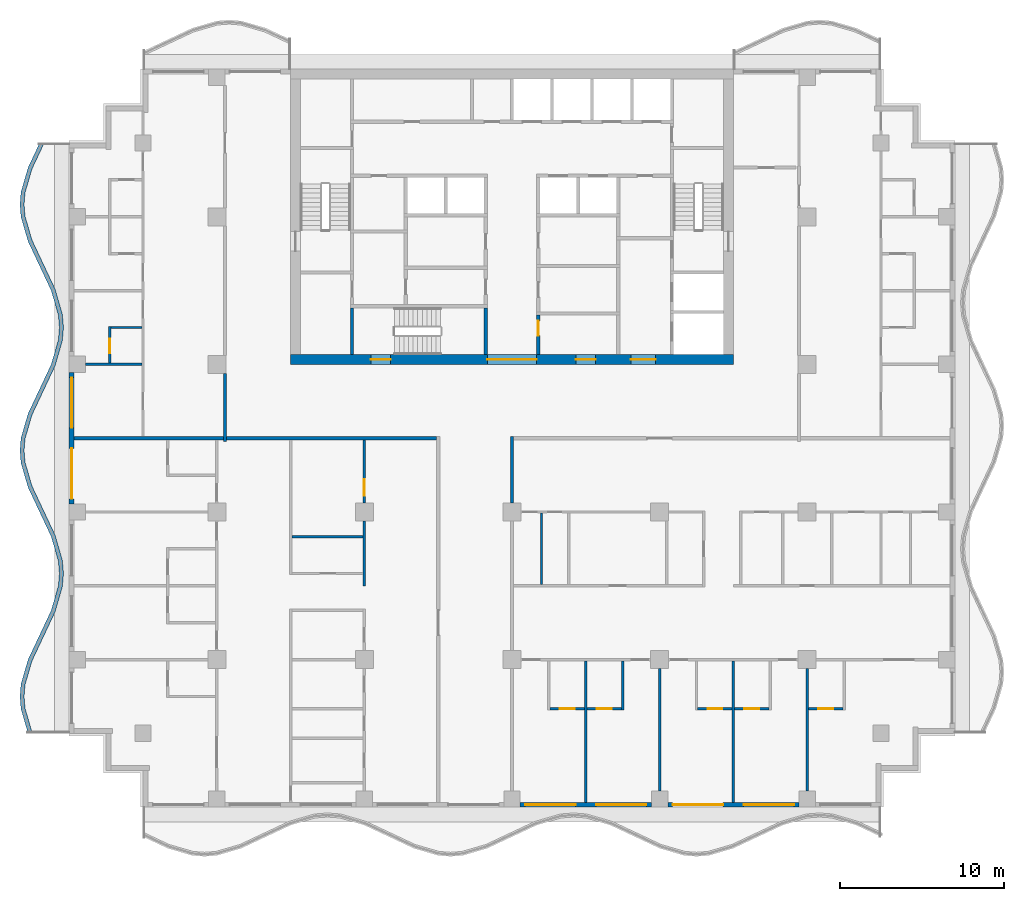
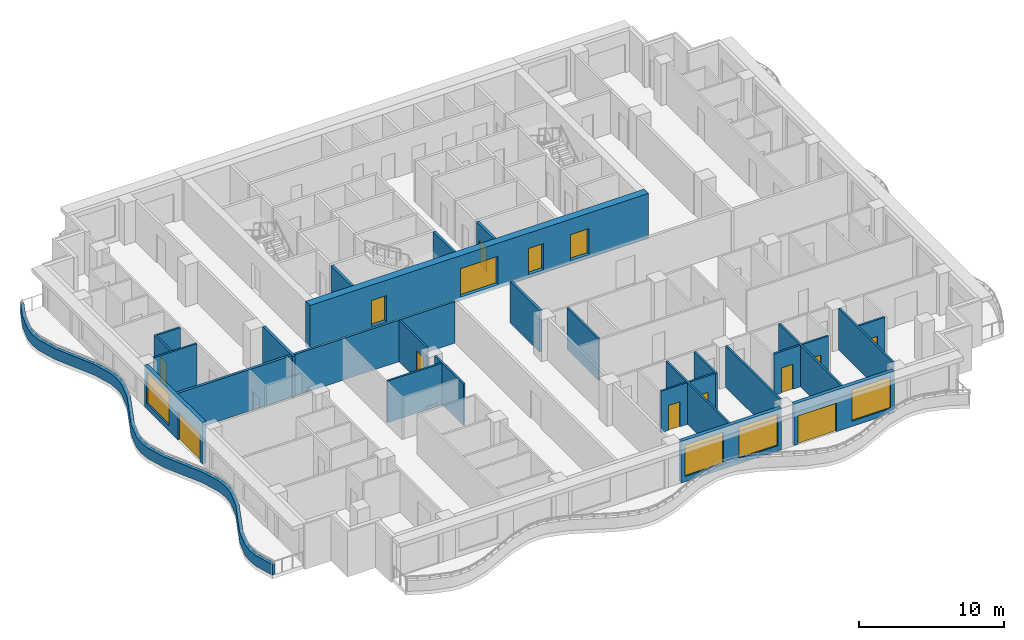
# One storey, part 3 of 12: 29 walls, 14 doors, 4 windows, 18 openings.
"""IFC4 building model written with IfcOpenShell, lengths in metres."""

from ifc_helpers import new_model, si_unit, direction, frame, frame_2d, origin, place, context, subcontext, project, spatial, polyline, rectangle, outline, extrude, material, layer, layer_set, type_object, element, fill, save


model = new_model("IFC4")

# Units and contexts
model_context = context("Model", 3, precision=1e-05, world=origin(), true_north=direction((0.0, 1.0)))
body_context = subcontext(model_context, "Body", "Model", "MODEL_VIEW")
ifc_project = project(units=[si_unit("LENGTHUNIT", "METRE"), si_unit("AREAUNIT", "SQUARE_METRE"), si_unit("VOLUMEUNIT", "CUBIC_METRE"), si_unit("PLANEANGLEUNIT", "RADIAN"), si_unit("MASSUNIT", "GRAM", prefix="KILO")], contexts=[model_context])

# Site, building, storey
site_placement = place(None, origin())
site = spatial("IfcSite", under=ifc_project, at=site_placement, CompositionType="ELEMENT")
building_placement = place(site_placement, origin())
building = spatial("IfcBuilding", under=site, at=building_placement, Name="Orbiselva Terraces", CompositionType="ELEMENT")
storey_placement = place(building_placement, frame((0.0, 0.0, 211.0)))
storey = spatial("IfcBuildingStorey", under=building, at=storey_placement, Name="L53", CompositionType="ELEMENT", Elevation=211.0)

# Wall, openings, doors
ifc_material_1 = material(Name="Concrete C80/95", Category="concrete")
ifc_layer_1 = layer(ifc_material_1, 0.6)
ifc_layer_set_1 = layer_set([ifc_layer_1], Name="Concrete C80/95")
wall_type_1 = type_object("IfcWallType", Name="CORE WALL 600", PredefinedType="SHEAR", material=ifc_layer_set_1)
wall_1_placement = place(storey_placement, frame((-13.5, 4.8, -0.3), z_axis=(0.0, 0.0, 1.0), x_axis=(1.0, 0.0, 0.0)))
wall_1 = element("IfcWall", 1, at=wall_1_placement, inside=storey, type_object=wall_type_1, Name="Core wall L53 south", PredefinedType="SHEAR", context=body_context, shape_type="SweptSolid", body=[
    extrude(rectangle(XDim=27.0, YDim=0.6, at=frame_2d((13.5, 0.0))), origin(), (0.0, 0.0, 1.0), 3.8),
])
opening_1_placement = place(wall_1_placement, frame((12.0, 0.0, 0.3)))
opening_1 = element("IfcOpeningElement", 2, at=opening_1_placement, cuts=wall_1, Name="Opening DL3000", PredefinedType="OPENING", context=body_context, shape_type="SweptSolid", body=[
    extrude(rectangle(XDim=3.0, YDim=2.4, at=frame_2d((1.5, 1.2))), frame((0.0, 0.31, 0.0), z_axis=(0.0, -1.0, 0.0), x_axis=(1.0, 0.0, 0.0)), (0.0, 0.0, 1.0), 0.62),
])
opening_2_placement = place(wall_1_placement, frame((4.9, 0.0, 0.3)))
opening_2 = element("IfcOpeningElement", 3, at=opening_2_placement, cuts=wall_1, Name="Opening DS1200", PredefinedType="OPENING", context=body_context, shape_type="SweptSolid", body=[
    extrude(rectangle(XDim=1.2, YDim=2.2, at=frame_2d((0.6, 1.1))), frame((0.0, 0.31, 0.0), z_axis=(0.0, -1.0, 0.0), x_axis=(1.0, 0.0, 0.0)), (0.0, 0.0, 1.0), 0.62),
])
opening_3_placement = place(wall_1_placement, frame((20.75, 0.0, 0.3)))
opening_3 = element("IfcOpeningElement", 4, at=opening_3_placement, cuts=wall_1, Name="Opening DF1500", PredefinedType="OPENING", context=body_context, shape_type="SweptSolid", body=[
    extrude(rectangle(XDim=1.5, YDim=2.2, at=frame_2d((0.75, 1.1))), frame((0.0, 0.31, 0.0), z_axis=(0.0, -1.0, 0.0), x_axis=(1.0, 0.0, 0.0)), (0.0, 0.0, 1.0), 0.62),
])
opening_4_placement = place(wall_1_placement, frame((17.4, 0.0, 0.3)))
opening_4 = element("IfcOpeningElement", 5, at=opening_4_placement, cuts=wall_1, Name="Opening DV1200", PredefinedType="OPENING", context=body_context, shape_type="SweptSolid", body=[
    extrude(rectangle(XDim=1.2, YDim=2.2, at=frame_2d((0.6, 1.1))), frame((0.0, 0.31, 0.0), z_axis=(0.0, -1.0, 0.0), x_axis=(1.0, 0.0, 0.0)), (0.0, 0.0, 1.0), 0.62),
])
ifc_material_2 = material(Name="Steel fire door", Category="steel")
door_type_1 = type_object("IfcDoorType", Name="FFL DOOR 1500", OperationType="DOUBLE_DOOR_SINGLE_SWING", PredefinedType="DOOR", material=ifc_material_2)
door_1_placement = place(opening_3_placement, frame((1.5, 0.0, 0.0), z_axis=(0.0, 0.0, 1.0), x_axis=(-1.0, 0.0, 0.0)))
door_1 = element("IfcDoor", 6, at=door_1_placement, inside=storey, type_object=door_type_1, Name="L53 FIRE-FIGHTING LOBBY door", OperationType="DOUBLE_DOOR_SINGLE_SWING", OverallHeight=2.2, OverallWidth=1.5, PredefinedType="DOOR", context=body_context, shape_type="SweptSolid", body=[
    extrude(rectangle(XDim=1.5, YDim=2.2, at=frame_2d((0.75, 1.1))), frame((0.0, 0.025, 0.0), z_axis=(0.0, -1.0, 0.0), x_axis=(1.0, 0.0, 0.0)), (0.0, 0.0, 1.0), 0.05),
])
fill(opening_3, door_1)
door_type_2 = type_object("IfcDoorType", Name="LOBBY DOOR 3000", OperationType="DOUBLE_DOOR_SINGLE_SWING", PredefinedType="DOOR", material=ifc_material_2)
door_2_placement = place(opening_1_placement, frame((3.0, 0.0, 0.0), z_axis=(0.0, 0.0, 1.0), x_axis=(-1.0, 0.0, 0.0)))
door_2 = element("IfcDoor", 7, at=door_2_placement, inside=storey, type_object=door_type_2, Name="L53 LIFT LOBBY door", OperationType="DOUBLE_DOOR_SINGLE_SWING", OverallHeight=2.4, OverallWidth=3.0, PredefinedType="DOOR", context=body_context, shape_type="SweptSolid", body=[
    extrude(rectangle(XDim=3.0, YDim=2.4, at=frame_2d((1.5, 1.2))), frame((0.0, 0.025, 0.0), z_axis=(0.0, -1.0, 0.0), x_axis=(1.0, 0.0, 0.0)), (0.0, 0.0, 1.0), 0.05),
])
fill(opening_1, door_2)
door_type_3 = type_object("IfcDoorType", Name="SERVICE DOOR 1200", OperationType="NOTDEFINED", PredefinedType="DOOR", material=ifc_material_2)
door_3_placement = place(opening_4_placement, frame((1.2, 0.0, 0.0), z_axis=(0.0, 0.0, 1.0), x_axis=(-1.0, 0.0, 0.0)))
door_3 = element("IfcDoor", 8, at=door_3_placement, inside=storey, type_object=door_type_3, Name="L53 ELECTRICAL RISER ROOM door", OperationType="SINGLE_SWING_RIGHT", OverallHeight=2.2, OverallWidth=1.2, PredefinedType="DOOR", context=body_context, shape_type="SweptSolid", body=[
    extrude(rectangle(XDim=1.2, YDim=2.2, at=frame_2d((0.6, 1.1))), frame((0.0, 0.025, 0.0), z_axis=(0.0, -1.0, 0.0), x_axis=(1.0, 0.0, 0.0)), (0.0, 0.0, 1.0), 0.05),
])
fill(opening_4, door_3)
door_type_4 = type_object("IfcDoorType", Name="STAIR DOOR 1200", OperationType="NOTDEFINED", PredefinedType="DOOR", material=ifc_material_2)
door_4_placement = place(opening_2_placement, frame((1.2, 0.0, 0.0), z_axis=(0.0, 0.0, 1.0), x_axis=(-1.0, 0.0, 0.0)))
door_4 = element("IfcDoor", 9, at=door_4_placement, inside=storey, type_object=door_type_4, Name="L53 EXIT STAIR S3 door", OperationType="SINGLE_SWING_LEFT", OverallHeight=2.2, OverallWidth=1.2, PredefinedType="DOOR", context=body_context, shape_type="SweptSolid", body=[
    extrude(rectangle(XDim=1.2, YDim=2.2, at=frame_2d((0.6, 1.1))), frame((0.0, 0.025, 0.0), z_axis=(0.0, -1.0, 0.0), x_axis=(1.0, 0.0, 0.0)), (0.0, 0.0, 1.0), 0.05),
])
fill(opening_2, door_4)

# Wall, opening, door
ifc_material_3 = material(Name="Masonry blockwork", Category="masonry")
ifc_layer_2 = layer(ifc_material_3, 0.2)
ifc_layer_set_2 = layer_set([ifc_layer_2], Name="Masonry blockwork")
wall_type_2 = type_object("IfcWallType", Name="CORE-WALL-PARTITION-200", PredefinedType="PARTITIONING", material=ifc_layer_set_2)
wall_2_placement = place(storey_placement, frame((1.6, 7.5, 0.0), z_axis=(0.0, 0.0, 1.0), x_axis=(0.0, -1.0, 0.0)))
wall_2 = element("IfcWall", 10, at=wall_2_placement, inside=storey, type_object=wall_type_2, Name="L53 core wall 27", PredefinedType="PARTITIONING", context=body_context, shape_type="SweptSolid", body=[
    extrude(rectangle(XDim=2.4, YDim=0.2, at=frame_2d((1.2, 0.0))), origin(), (0.0, 0.0, 1.0), 3.5),
])
opening_5_placement = place(wall_2_placement, frame((0.35, 0.0, 0.0)))
opening_5 = element("IfcOpeningElement", 11, at=opening_5_placement, cuts=wall_2, Name="Opening DR900", PredefinedType="OPENING", context=body_context, shape_type="SweptSolid", body=[
    extrude(rectangle(XDim=0.9, YDim=2.1, at=frame_2d((0.45, 1.05))), frame((0.0, 0.11, 0.0), z_axis=(0.0, -1.0, 0.0), x_axis=(1.0, 0.0, 0.0)), (0.0, 0.0, 1.0), 0.22),
])
door_type_5 = type_object("IfcDoorType", Name="ROOM DOOR 900", OperationType="NOTDEFINED", PredefinedType="DOOR", material=ifc_material_2)
door_5_placement = place(opening_5_placement, origin())
door_5 = element("IfcDoor", 12, at=door_5_placement, inside=storey, type_object=door_type_5, Name="L53 ELECTRICAL RISER ROOM door", OperationType="SINGLE_SWING_LEFT", OverallHeight=2.1, OverallWidth=0.9, PredefinedType="DOOR", context=body_context, shape_type="SweptSolid", body=[
    extrude(rectangle(XDim=0.9, YDim=2.1, at=frame_2d((0.45, 1.05))), frame((0.0, 0.025, 0.0), z_axis=(0.0, -1.0, 0.0), x_axis=(1.0, 0.0, 0.0)), (0.0, 0.0, 1.0), 0.05),
])
fill(opening_5, door_5)

# Walls
ifc_material_4 = material(Name="Concrete C60/75", Category="concrete")
ifc_layer_3 = layer(ifc_material_4, 0.2)
ifc_layer_set_3 = layer_set([ifc_layer_3], Name="Concrete C60/75")
wall_type_3 = type_object("IfcWallType", Name="CORE-WALL-SHEAR-200", PredefinedType="SHEAR", material=ifc_layer_set_3)
for number, where, z_axis, x_axis, name in (
    (13, (-9.75, 5.1, 0.0), (0.0, 0.0, 1.0), (0.0, 1.0, 0.0), "L53 core wall 03"),
    (14, (-1.6, 5.1, 0.0), (0.0, 0.0, 1.0), (0.0, 1.0, 0.0), "L53 core wall 22"),
):
    element("IfcWall", number, at=place(storey_placement, frame(where, z_axis=z_axis, x_axis=x_axis)), inside=storey, type_object=wall_type_3, Name=name, PredefinedType="SHEAR", context=body_context, shape_type="SweptSolid", body=[
        extrude(rectangle(XDim=2.85, YDim=0.2, at=frame_2d((1.425, 0.0))), origin(), (0.0, 0.0, 1.0), 3.5),
    ])
ifc_material_5 = material(Name="Concrete C40/50", Category="concrete")
ifc_layer_4 = layer(ifc_material_5, 0.25)
ifc_layer_set_4 = layer_set([ifc_layer_4], Name="Concrete C40/50")
wall_type_4 = type_object("IfcWallType", Name="ENV-PLANTER-250x900", PredefinedType="USERDEFINED", material=ifc_layer_set_4)
wall_3_placement = place(storey_placement, origin())
element("IfcWall", 15, at=wall_3_placement, inside=storey, type_object=wall_type_4, Name="Balcony planter L53 W", ObjectType="PLANTER", PredefinedType="USERDEFINED", context=body_context, shape_type="SweptSolid", body=[
    extrude(outline(polyline([(-28.8, 18.0), (-29.505342, 16.5), (-29.941268, 15.0), (-30.0, 14.25), (-29.941268, 13.5), (-29.505342, 12.0), (-28.8, 10.5), (-28.094658, 9.0), (-27.658732, 7.5), (-27.6, 6.75), (-27.658732, 6.0), (-28.094658, 4.5), (-28.8, 3.0), (-29.505342, 1.5), (-29.941268, 0.0), (-30.0, -0.75), (-29.941268, -1.5), (-29.505342, -3.0), (-28.8, -4.5), (-28.094658, -6.0), (-27.658732, -7.5), (-27.6, -8.25), (-27.658732, -9.0), (-28.094658, -10.5), (-28.8, -12.0), (-29.505342, -13.5), (-29.941268, -15.0), (-30.0, -15.75), (-29.941268, -16.5), (-29.505342, -18.0), (-29.265274, -17.930232), (-29.694035, -16.454886), (-29.749235, -15.75), (-29.694035, -15.045114), (-29.270753, -13.588618), (-28.573764, -12.106383), (-27.860069, -10.588618), (-27.411499, -9.045114), (-27.349235, -8.25), (-27.411499, -7.454886), (-27.860069, -5.911382), (-28.573764, -4.393617), (-29.270753, -2.911382), (-29.694035, -1.454886), (-29.749235, -0.75), (-29.694035, -0.045114), (-29.270753, 1.411382), (-28.573764, 2.893617), (-27.860069, 4.411382), (-27.411499, 5.954886), (-27.349235, 6.75), (-27.411499, 7.545114), (-27.860069, 9.088618), (-28.573764, 10.606383), (-29.270753, 12.088618), (-29.694035, 13.545114), (-29.749235, 14.25), (-29.694035, 14.954886), (-29.270753, 16.411382), (-28.573764, 17.893617), (-28.8, 18.0)])), origin(), (0.0, 0.0, 1.0), 0.9),
])

# Wall, openings, windows
ifc_material_6 = material(Name="Terracotta cladding on masonry backing", Category="masonry")
ifc_layer_5 = layer(ifc_material_6, 0.3)
ifc_layer_set_5 = layer_set([ifc_layer_5], Name="Terracotta cladding on masonry backing")
wall_type_5 = type_object("IfcWallType", Name="ENV-WALL-TERRACOTTA-300", PredefinedType="SOLIDWALL", material=ifc_layer_set_5)
wall_4_placement = place(storey_placement, frame((8.5, -22.35, 0.0), z_axis=(0.0, 0.0, 1.0), x_axis=(-1.0, 0.0, 0.0)))
wall_4 = element("IfcWall", 16, at=wall_4_placement, inside=storey, type_object=wall_type_5, Name="Facade wall L53 S", PredefinedType="SOLIDWALL", context=body_context, shape_type="SweptSolid", body=[
    extrude(rectangle(XDim=8.0, YDim=0.3, at=frame_2d((4.0, 0.0))), origin(), (0.0, 0.0, 1.0), 3.5),
])
opening_6_placement = place(wall_4_placement, frame((4.625, 0.0, 0.45)))
opening_6 = element("IfcOpeningElement", 17, at=opening_6_placement, cuts=wall_4, Name="Opening WN15", PredefinedType="OPENING", context=body_context, shape_type="SweptSolid", body=[
    extrude(rectangle(XDim=3.075, YDim=2.65, at=frame_2d((1.5375, 1.325))), frame((0.0, 0.16, 0.0), z_axis=(0.0, -1.0, 0.0), x_axis=(1.0, 0.0, 0.0)), (0.0, 0.0, 1.0), 0.32),
])
opening_7_placement = place(wall_4_placement, frame((0.3, 0.0, 0.45)))
opening_7 = element("IfcOpeningElement", 18, at=opening_7_placement, cuts=wall_4, Name="Opening WN15", PredefinedType="OPENING", context=body_context, shape_type="SweptSolid", body=[
    extrude(rectangle(XDim=3.075, YDim=2.65, at=frame_2d((1.5375, 1.325))), frame((0.0, 0.16, 0.0), z_axis=(0.0, -1.0, 0.0), x_axis=(1.0, 0.0, 0.0)), (0.0, 0.0, 1.0), 0.32),
])
ifc_material_7 = material(Name="Clear low-e glazing in aluminium frame", Category="aluminium")
window_type = type_object("IfcWindowType", Name="WINDOW 3075 X 2650 S450", PartitioningType="TRIPLE_PANEL_VERTICAL", PredefinedType="WINDOW", material=ifc_material_7)
window_1_placement = place(opening_6_placement, origin())
window_1 = element("IfcWindow", 19, at=window_1_placement, inside=storey, type_object=window_type, Name="Window L53 S", OverallHeight=2.65, OverallWidth=3.075, PartitioningType="SINGLE_PANEL", PredefinedType="WINDOW", context=body_context, shape_type="SweptSolid", body=[
    extrude(rectangle(XDim=3.075, YDim=2.65, at=frame_2d((1.5375, 1.325))), frame((0.0, 0.03, 0.0), z_axis=(0.0, -1.0, 0.0), x_axis=(1.0, 0.0, 0.0)), (0.0, 0.0, 1.0), 0.06),
])
fill(opening_6, window_1)
window_2_placement = place(opening_7_placement, origin())
window_2 = element("IfcWindow", 20, at=window_2_placement, inside=storey, type_object=window_type, Name="Window L53 S", OverallHeight=2.65, OverallWidth=3.075, PartitioningType="SINGLE_PANEL", PredefinedType="WINDOW", context=body_context, shape_type="SweptSolid", body=[
    extrude(rectangle(XDim=3.075, YDim=2.65, at=frame_2d((1.5375, 1.325))), frame((0.0, 0.03, 0.0), z_axis=(0.0, -1.0, 0.0), x_axis=(1.0, 0.0, 0.0)), (0.0, 0.0, 1.0), 0.06),
])
fill(opening_7, window_2)

# Wall, openings, door, window
wall_5_placement = place(storey_placement, frame((17.5, -22.35, 0.0), z_axis=(0.0, 0.0, 1.0), x_axis=(-1.0, 0.0, 0.0)))
wall_5 = element("IfcWall", 21, at=wall_5_placement, inside=storey, type_object=wall_type_5, Name="Facade wall L53 S", PredefinedType="SOLIDWALL", context=body_context, shape_type="SweptSolid", body=[
    extrude(rectangle(XDim=8.0, YDim=0.3, at=frame_2d((4.0, 0.0))), origin(), (0.0, 0.0, 1.0), 3.5),
])
opening_8_placement = place(wall_5_placement, frame((4.625, 0.0, 0.0)))
opening_8 = element("IfcOpeningElement", 22, at=opening_8_placement, cuts=wall_5, Name="Opening Z4-C-E03", PredefinedType="OPENING", context=body_context, shape_type="SweptSolid", body=[
    extrude(rectangle(XDim=3.075, YDim=2.4, at=frame_2d((1.5375, 1.2))), frame((0.0, 0.16, 0.0), z_axis=(0.0, -1.0, 0.0), x_axis=(1.0, 0.0, 0.0)), (0.0, 0.0, 1.0), 0.32),
])
opening_9_placement = place(wall_5_placement, frame((0.3, 0.0, 0.45)))
opening_9 = element("IfcOpeningElement", 23, at=opening_9_placement, cuts=wall_5, Name="Opening WN15", PredefinedType="OPENING", context=body_context, shape_type="SweptSolid", body=[
    extrude(rectangle(XDim=3.075, YDim=2.65, at=frame_2d((1.5375, 1.325))), frame((0.0, 0.16, 0.0), z_axis=(0.0, -1.0, 0.0), x_axis=(1.0, 0.0, 0.0)), (0.0, 0.0, 1.0), 0.32),
])
door_type_6 = type_object("IfcDoorType", Name="BALCONY DOOR 3075 X 2400", OperationType="DOUBLE_DOOR_SLIDING", PredefinedType="DOOR", material=ifc_material_7)
door_6_placement = place(opening_8_placement, origin())
door_6 = element("IfcDoor", 24, at=door_6_placement, inside=storey, type_object=door_type_6, Name="Z4-C-E03", OperationType="SINGLE_SWING_LEFT", OverallHeight=2.4, OverallWidth=3.075, PredefinedType="DOOR", context=body_context, shape_type="SweptSolid", body=[
    extrude(rectangle(XDim=3.075, YDim=2.4, at=frame_2d((1.5375, 1.2))), frame((0.0, 0.025, 0.0), z_axis=(0.0, -1.0, 0.0), x_axis=(1.0, 0.0, 0.0)), (0.0, 0.0, 1.0), 0.05),
])
fill(opening_8, door_6)
window_3_placement = place(opening_9_placement, origin())
window_3 = element("IfcWindow", 25, at=window_3_placement, inside=storey, type_object=window_type, Name="Window L53 S", OverallHeight=2.65, OverallWidth=3.075, PartitioningType="SINGLE_PANEL", PredefinedType="WINDOW", context=body_context, shape_type="SweptSolid", body=[
    extrude(rectangle(XDim=3.075, YDim=2.65, at=frame_2d((1.5375, 1.325))), frame((0.0, 0.03, 0.0), z_axis=(0.0, -1.0, 0.0), x_axis=(1.0, 0.0, 0.0)), (0.0, 0.0, 1.0), 0.06),
])
fill(opening_9, window_3)

wall_6_placement = place(storey_placement, frame((-26.85, -4.0, 0.0), z_axis=(0.0, 0.0, 1.0), x_axis=(0.0, 1.0, 0.0)))
wall_6 = element("IfcWall", 26, at=wall_6_placement, inside=storey, type_object=wall_type_5, Name="Facade wall L53 W", PredefinedType="SOLIDWALL", context=body_context, shape_type="SweptSolid", body=[
    extrude(rectangle(XDim=8.0, YDim=0.3, at=frame_2d((4.0, 0.0))), origin(), (0.0, 0.0, 1.0), 3.5),
])
opening_10_placement = place(wall_6_placement, frame((4.625, 0.0, 0.45)))
opening_10 = element("IfcOpeningElement", 27, at=opening_10_placement, cuts=wall_6, Name="Opening WN15", PredefinedType="OPENING", context=body_context, shape_type="SweptSolid", body=[
    extrude(rectangle(XDim=3.075, YDim=2.65, at=frame_2d((1.5375, 1.325))), frame((0.0, 0.16, 0.0), z_axis=(0.0, -1.0, 0.0), x_axis=(1.0, 0.0, 0.0)), (0.0, 0.0, 1.0), 0.32),
])
opening_11_placement = place(wall_6_placement, frame((0.3, 0.0, 0.0)))
opening_11 = element("IfcOpeningElement", 28, at=opening_11_placement, cuts=wall_6, Name="Opening Z4-C-E11", PredefinedType="OPENING", context=body_context, shape_type="SweptSolid", body=[
    extrude(rectangle(XDim=3.075, YDim=2.4, at=frame_2d((1.5375, 1.2))), frame((0.0, 0.16, 0.0), z_axis=(0.0, -1.0, 0.0), x_axis=(1.0, 0.0, 0.0)), (0.0, 0.0, 1.0), 0.32),
])
door_7_placement = place(opening_11_placement, origin())
door_7 = element("IfcDoor", 29, at=door_7_placement, inside=storey, type_object=door_type_6, Name="Z4-C-E11", OperationType="SINGLE_SWING_LEFT", OverallHeight=2.4, OverallWidth=3.075, PredefinedType="DOOR", context=body_context, shape_type="SweptSolid", body=[
    extrude(rectangle(XDim=3.075, YDim=2.4, at=frame_2d((1.5375, 1.2))), frame((0.0, 0.025, 0.0), z_axis=(0.0, -1.0, 0.0), x_axis=(1.0, 0.0, 0.0)), (0.0, 0.0, 1.0), 0.05),
])
fill(opening_11, door_7)
window_4_placement = place(opening_10_placement, origin())
window_4 = element("IfcWindow", 30, at=window_4_placement, inside=storey, type_object=window_type, Name="Window L53 W", OverallHeight=2.65, OverallWidth=3.075, PartitioningType="SINGLE_PANEL", PredefinedType="WINDOW", context=body_context, shape_type="SweptSolid", body=[
    extrude(rectangle(XDim=3.075, YDim=2.65, at=frame_2d((1.5375, 1.325))), frame((0.0, 0.03, 0.0), z_axis=(0.0, -1.0, 0.0), x_axis=(1.0, 0.0, 0.0)), (0.0, 0.0, 1.0), 0.06),
])
fill(opening_10, window_4)

# Walls
ifc_material_8 = material(Name="Plasterboard on steel stud partition", Category="steel")
ifc_layer_6 = layer(ifc_material_8, 0.2)
ifc_layer_set_6 = layer_set([ifc_layer_6], Name="Plasterboard on steel stud partition")
wall_type_6 = type_object("IfcWallType", Name="UNIT-ENTRANCE-WALL-200", PredefinedType="PARTITIONING", material=ifc_layer_set_6)
wall_7_placement = place(storey_placement, frame((-17.4, 0.0, 0.0), z_axis=(0.0, 0.0, 1.0), x_axis=(1.0, 0.0, 0.0)))
element("IfcWall", 31, at=wall_7_placement, inside=storey, type_object=wall_type_6, Name="PARTITION L53-030", PredefinedType="PARTITIONING", context=body_context, shape_type="SweptSolid", body=[
    extrude(rectangle(XDim=12.8, YDim=0.2, at=frame_2d((6.4, 0.0))), origin(), (0.0, 0.0, 1.0), 3.5),
])
wall_8_placement = place(storey_placement, frame((-17.5, -0.2, 0.0), z_axis=(0.0, 0.0, 1.0), x_axis=(0.0, 1.0, 0.0)))
element("IfcWall", 32, at=wall_8_placement, inside=storey, type_object=wall_type_6, Name="PARTITION L53-059", PredefinedType="PARTITIONING", context=body_context, shape_type="SweptSolid", body=[
    extrude(rectangle(XDim=4.15, YDim=0.2, at=frame_2d((2.075, 0.0))), origin(), (0.0, 0.0, 1.0), 3.5),
])
wall_9_placement = place(storey_placement, frame((0.0, -3.95, 0.0), z_axis=(0.0, 0.0, 1.0), x_axis=(0.0, 1.0, 0.0)))
element("IfcWall", 33, at=wall_9_placement, inside=storey, type_object=wall_type_6, Name="PARTITION L53-071", PredefinedType="PARTITIONING", context=body_context, shape_type="SweptSolid", body=[
    extrude(rectangle(XDim=4.05, YDim=0.2, at=frame_2d((2.025, 0.0))), origin(), (0.0, 0.0, 1.0), 3.5),
])

# Wall, opening, door
ifc_layer_7 = layer(ifc_material_8, 0.15)
ifc_layer_set_7 = layer_set([ifc_layer_7], Name="Plasterboard on steel stud partition")
wall_type_7 = type_object("IfcWallType", Name="UNIT-PARTITION-150", PredefinedType="PARTITIONING", material=ifc_layer_set_7)
wall_10_placement = place(storey_placement, frame((2.325, -16.5, 0.0), z_axis=(0.0, 0.0, 1.0), x_axis=(1.0, 0.0, 0.0)))
wall_10 = element("IfcWall", 34, at=wall_10_placement, inside=storey, type_object=wall_type_7, Name="PARTITION L53-004", PredefinedType="PARTITIONING", context=body_context, shape_type="SweptSolid", body=[
    extrude(rectangle(XDim=2.1, YDim=0.15, at=frame_2d((1.05, 0.0))), origin(), (0.0, 0.0, 1.0), 3.5),
])
opening_12_placement = place(wall_10_placement, frame((0.6, 0.0, 0.0)))
opening_12 = element("IfcOpeningElement", 35, at=opening_12_placement, cuts=wall_10, Name="Opening Z4-C-45", PredefinedType="OPENING", context=body_context, shape_type="SweptSolid", body=[
    extrude(rectangle(XDim=0.9, YDim=2.1, at=frame_2d((0.45, 1.05))), frame((0.0, 0.085, 0.0), z_axis=(0.0, -1.0, 0.0), x_axis=(1.0, 0.0, 0.0)), (0.0, 0.0, 1.0), 0.17),
])
ifc_material_9 = material(Name="Painted timber door leaf", Category="wood")
door_type_7 = type_object("IfcDoorType", Name="BATH DOOR 900", OperationType="NOTDEFINED", PredefinedType="DOOR", material=ifc_material_9)
door_8_placement = place(opening_12_placement, origin())
door_8 = element("IfcDoor", 36, at=door_8_placement, inside=storey, type_object=door_type_7, Name="Z4-C-45", OperationType="SINGLE_SWING_RIGHT", OverallHeight=2.1, OverallWidth=0.9, PredefinedType="DOOR", context=body_context, shape_type="SweptSolid", body=[
    extrude(rectangle(XDim=0.9, YDim=2.1, at=frame_2d((0.45, 1.05))), frame((0.0, 0.025, 0.0), z_axis=(0.0, -1.0, 0.0), x_axis=(1.0, 0.0, 0.0)), (0.0, 0.0, 1.0), 0.05),
])
fill(opening_12, door_8)

wall_11_placement = place(storey_placement, frame((4.575, -16.5, 0.0), z_axis=(0.0, 0.0, 1.0), x_axis=(1.0, 0.0, 0.0)))
wall_11 = element("IfcWall", 37, at=wall_11_placement, inside=storey, type_object=wall_type_7, Name="PARTITION L53-005", PredefinedType="PARTITIONING", context=body_context, shape_type="SweptSolid", body=[
    extrude(rectangle(XDim=2.1, YDim=0.15, at=frame_2d((1.05, 0.0))), origin(), (0.0, 0.0, 1.0), 3.5),
])
opening_13_placement = place(wall_11_placement, frame((0.6, 0.0, 0.0)))
opening_13 = element("IfcOpeningElement", 38, at=opening_13_placement, cuts=wall_11, Name="Opening Z4-C-47", PredefinedType="OPENING", context=body_context, shape_type="SweptSolid", body=[
    extrude(rectangle(XDim=0.9, YDim=2.1, at=frame_2d((0.45, 1.05))), frame((0.0, 0.085, 0.0), z_axis=(0.0, -1.0, 0.0), x_axis=(1.0, 0.0, 0.0)), (0.0, 0.0, 1.0), 0.17),
])
door_9_placement = place(opening_13_placement, origin())
door_9 = element("IfcDoor", 39, at=door_9_placement, inside=storey, type_object=door_type_7, Name="Z4-C-47", OperationType="SINGLE_SWING_LEFT", OverallHeight=2.1, OverallWidth=0.9, PredefinedType="DOOR", context=body_context, shape_type="SweptSolid", body=[
    extrude(rectangle(XDim=0.9, YDim=2.1, at=frame_2d((0.45, 1.05))), frame((0.0, 0.025, 0.0), z_axis=(0.0, -1.0, 0.0), x_axis=(1.0, 0.0, 0.0)), (0.0, 0.0, 1.0), 0.05),
])
fill(opening_13, door_9)

wall_12_placement = place(storey_placement, frame((11.325, -16.5, 0.0), z_axis=(0.0, 0.0, 1.0), x_axis=(1.0, 0.0, 0.0)))
wall_12 = element("IfcWall", 40, at=wall_12_placement, inside=storey, type_object=wall_type_7, Name="PARTITION L53-006", PredefinedType="PARTITIONING", context=body_context, shape_type="SweptSolid", body=[
    extrude(rectangle(XDim=2.1, YDim=0.15, at=frame_2d((1.05, 0.0))), origin(), (0.0, 0.0, 1.0), 3.5),
])
opening_14_placement = place(wall_12_placement, frame((0.6, 0.0, 0.0)))
opening_14 = element("IfcOpeningElement", 41, at=opening_14_placement, cuts=wall_12, Name="Opening Z4-C-49", PredefinedType="OPENING", context=body_context, shape_type="SweptSolid", body=[
    extrude(rectangle(XDim=0.9, YDim=2.1, at=frame_2d((0.45, 1.05))), frame((0.0, 0.085, 0.0), z_axis=(0.0, -1.0, 0.0), x_axis=(1.0, 0.0, 0.0)), (0.0, 0.0, 1.0), 0.17),
])
door_10_placement = place(opening_14_placement, origin())
door_10 = element("IfcDoor", 42, at=door_10_placement, inside=storey, type_object=door_type_7, Name="Z4-C-49", OperationType="SINGLE_SWING_LEFT", OverallHeight=2.1, OverallWidth=0.9, PredefinedType="DOOR", context=body_context, shape_type="SweptSolid", body=[
    extrude(rectangle(XDim=0.9, YDim=2.1, at=frame_2d((0.45, 1.05))), frame((0.0, 0.025, 0.0), z_axis=(0.0, -1.0, 0.0), x_axis=(1.0, 0.0, 0.0)), (0.0, 0.0, 1.0), 0.05),
])
fill(opening_14, door_10)

wall_13_placement = place(storey_placement, frame((13.575, -16.5, 0.0), z_axis=(0.0, 0.0, 1.0), x_axis=(1.0, 0.0, 0.0)))
wall_13 = element("IfcWall", 43, at=wall_13_placement, inside=storey, type_object=wall_type_7, Name="PARTITION L53-007", PredefinedType="PARTITIONING", context=body_context, shape_type="SweptSolid", body=[
    extrude(rectangle(XDim=2.1, YDim=0.15, at=frame_2d((1.05, 0.0))), origin(), (0.0, 0.0, 1.0), 3.5),
])
opening_15_placement = place(wall_13_placement, frame((0.6, 0.0, 0.0)))
opening_15 = element("IfcOpeningElement", 44, at=opening_15_placement, cuts=wall_13, Name="Opening Z4-C-51", PredefinedType="OPENING", context=body_context, shape_type="SweptSolid", body=[
    extrude(rectangle(XDim=0.9, YDim=2.1, at=frame_2d((0.45, 1.05))), frame((0.0, 0.085, 0.0), z_axis=(0.0, -1.0, 0.0), x_axis=(1.0, 0.0, 0.0)), (0.0, 0.0, 1.0), 0.17),
])
door_11_placement = place(opening_15_placement, origin())
door_11 = element("IfcDoor", 45, at=door_11_placement, inside=storey, type_object=door_type_7, Name="Z4-C-51", OperationType="SINGLE_SWING_LEFT", OverallHeight=2.1, OverallWidth=0.9, PredefinedType="DOOR", context=body_context, shape_type="SweptSolid", body=[
    extrude(rectangle(XDim=0.9, YDim=2.1, at=frame_2d((0.45, 1.05))), frame((0.0, 0.025, 0.0), z_axis=(0.0, -1.0, 0.0), x_axis=(1.0, 0.0, 0.0)), (0.0, 0.0, 1.0), 0.05),
])
fill(opening_15, door_11)

wall_14_placement = place(storey_placement, frame((18.075, -16.5, 0.0), z_axis=(0.0, 0.0, 1.0), x_axis=(1.0, 0.0, 0.0)))
wall_14 = element("IfcWall", 46, at=wall_14_placement, inside=storey, type_object=wall_type_7, Name="PARTITION L53-008", PredefinedType="PARTITIONING", context=body_context, shape_type="SweptSolid", body=[
    extrude(rectangle(XDim=2.1, YDim=0.15, at=frame_2d((1.05, 0.0))), origin(), (0.0, 0.0, 1.0), 3.5),
])
opening_16_placement = place(wall_14_placement, frame((0.6, 0.0, 0.0)))
opening_16 = element("IfcOpeningElement", 47, at=opening_16_placement, cuts=wall_14, Name="Opening Z4-C-53", PredefinedType="OPENING", context=body_context, shape_type="SweptSolid", body=[
    extrude(rectangle(XDim=0.9, YDim=2.1, at=frame_2d((0.45, 1.05))), frame((0.0, 0.085, 0.0), z_axis=(0.0, -1.0, 0.0), x_axis=(1.0, 0.0, 0.0)), (0.0, 0.0, 1.0), 0.17),
])
door_12_placement = place(opening_16_placement, origin())
door_12 = element("IfcDoor", 48, at=door_12_placement, inside=storey, type_object=door_type_7, Name="Z4-C-53", OperationType="SINGLE_SWING_LEFT", OverallHeight=2.1, OverallWidth=0.9, PredefinedType="DOOR", context=body_context, shape_type="SweptSolid", body=[
    extrude(rectangle(XDim=0.9, YDim=2.1, at=frame_2d((0.45, 1.05))), frame((0.0, 0.025, 0.0), z_axis=(0.0, -1.0, 0.0), x_axis=(1.0, 0.0, 0.0)), (0.0, 0.0, 1.0), 0.05),
])
fill(opening_16, door_12)

# Walls
wall_15_placement = place(storey_placement, frame((-13.425, -6.0, 0.0), z_axis=(0.0, 0.0, 1.0), x_axis=(1.0, 0.0, 0.0)))
element("IfcWall", 49, at=wall_15_placement, inside=storey, type_object=wall_type_7, Name="PARTITION L53-023", PredefinedType="PARTITIONING", context=body_context, shape_type="SweptSolid", body=[
    extrude(rectangle(XDim=4.35, YDim=0.15, at=frame_2d((2.175, 0.0))), origin(), (0.0, 0.0, 1.0), 3.5),
])
wall_16_placement = place(storey_placement, frame((-26.0, 4.5, 0.0), z_axis=(0.0, 0.0, 1.0), x_axis=(1.0, 0.0, 0.0)))
element("IfcWall", 50, at=wall_16_placement, inside=storey, type_object=wall_type_7, Name="PARTITION L53-034", PredefinedType="PARTITIONING", context=body_context, shape_type="SweptSolid", body=[
    extrude(rectangle(XDim=3.425, YDim=0.15, at=frame_2d((1.7125, 0.0))), origin(), (0.0, 0.0, 1.0), 3.5),
])
wall_17_placement = place(storey_placement, frame((-24.45, 6.75, 0.0), z_axis=(0.0, 0.0, 1.0), x_axis=(1.0, 0.0, 0.0)))
element("IfcWall", 51, at=wall_17_placement, inside=storey, type_object=wall_type_7, Name="PARTITION L53-036", PredefinedType="PARTITIONING", context=body_context, shape_type="SweptSolid", body=[
    extrude(rectangle(XDim=1.875, YDim=0.15, at=frame_2d((0.9375, 0.0))), origin(), (0.0, 0.0, 1.0), 3.5),
])

# Wall, opening, door
wall_18_placement = place(storey_placement, frame((-24.525, 6.825, 0.0), z_axis=(0.0, 0.0, 1.0), x_axis=(0.0, -1.0, 0.0)))
wall_18 = element("IfcWall", 52, at=wall_18_placement, inside=storey, type_object=wall_type_7, Name="PARTITION L53-049", PredefinedType="PARTITIONING", context=body_context, shape_type="SweptSolid", body=[
    extrude(rectangle(XDim=2.25, YDim=0.15, at=frame_2d((1.125, 0.0))), origin(), (0.0, 0.0, 1.0), 3.5),
])
opening_17_placement = place(wall_18_placement, frame((0.75, 0.0, 0.0)))
opening_17 = element("IfcOpeningElement", 53, at=opening_17_placement, cuts=wall_18, Name="Opening Z4-C-05", PredefinedType="OPENING", context=body_context, shape_type="SweptSolid", body=[
    extrude(rectangle(XDim=0.9, YDim=2.1, at=frame_2d((0.45, 1.05))), frame((0.0, 0.085, 0.0), z_axis=(0.0, -1.0, 0.0), x_axis=(1.0, 0.0, 0.0)), (0.0, 0.0, 1.0), 0.17),
])
door_13_placement = place(opening_17_placement, origin())
door_13 = element("IfcDoor", 54, at=door_13_placement, inside=storey, type_object=door_type_7, Name="Z4-C-05", OperationType="SINGLE_SWING_RIGHT", OverallHeight=2.1, OverallWidth=0.9, PredefinedType="DOOR", context=body_context, shape_type="SweptSolid", body=[
    extrude(rectangle(XDim=0.9, YDim=2.1, at=frame_2d((0.45, 1.05))), frame((0.0, 0.025, 0.0), z_axis=(0.0, -1.0, 0.0), x_axis=(1.0, 0.0, 0.0)), (0.0, 0.0, 1.0), 0.05),
])
fill(opening_17, door_13)

# Wall
wall_19_placement = place(storey_placement, frame((-9.0, -9.0, 0.0), z_axis=(0.0, 0.0, 1.0), x_axis=(0.0, 1.0, 0.0)))
element("IfcWall", 55, at=wall_19_placement, inside=storey, type_object=wall_type_7, Name="PARTITION L53-066", PredefinedType="PARTITIONING", context=body_context, shape_type="SweptSolid", body=[
    extrude(rectangle(XDim=3.95, YDim=0.15, at=frame_2d((1.975, 0.0))), origin(), (0.0, 0.0, 1.0), 3.5),
])

# Wall, opening, door
wall_20_placement = place(storey_placement, frame((-9.0, -3.95, 0.0), z_axis=(0.0, 0.0, 1.0), x_axis=(0.0, 1.0, 0.0)))
wall_20 = element("IfcWall", 56, at=wall_20_placement, inside=storey, type_object=wall_type_7, Name="PARTITION L53-067", PredefinedType="PARTITIONING", context=body_context, shape_type="SweptSolid", body=[
    extrude(rectangle(XDim=3.85, YDim=0.15, at=frame_2d((1.925, 0.0))), origin(), (0.0, 0.0, 1.0), 3.5),
])
opening_18_placement = place(wall_20_placement, frame((0.45, 0.0, 0.0)))
opening_18 = element("IfcOpeningElement", 57, at=opening_18_placement, cuts=wall_20, Name="Opening Z4-C-19", PredefinedType="OPENING", context=body_context, shape_type="SweptSolid", body=[
    extrude(rectangle(XDim=1.0, YDim=2.4, at=frame_2d((0.5, 1.2))), frame((0.0, 0.085, 0.0), z_axis=(0.0, -1.0, 0.0), x_axis=(1.0, 0.0, 0.0)), (0.0, 0.0, 1.0), 0.17),
])
door_type_8 = type_object("IfcDoorType", Name="ROOM DOOR 1000", OperationType="NOTDEFINED", PredefinedType="DOOR", material=ifc_material_9)
door_14_placement = place(opening_18_placement, origin())
door_14 = element("IfcDoor", 58, at=door_14_placement, inside=storey, type_object=door_type_8, Name="Z4-C-19", OperationType="SINGLE_SWING_LEFT", OverallHeight=2.4, OverallWidth=1.0, PredefinedType="DOOR", context=body_context, shape_type="SweptSolid", body=[
    extrude(rectangle(XDim=1.0, YDim=2.4, at=frame_2d((0.5, 1.2))), frame((0.0, 0.025, 0.0), z_axis=(0.0, -1.0, 0.0), x_axis=(1.0, 0.0, 0.0)), (0.0, 0.0, 1.0), 0.05),
])
fill(opening_18, door_14)

# Walls
wall_21_placement = place(storey_placement, frame((1.8, -8.925, 0.0), z_axis=(0.0, 0.0, 1.0), x_axis=(0.0, 1.0, 0.0)))
element("IfcWall", 59, at=wall_21_placement, inside=storey, type_object=wall_type_7, Name="PARTITION L53-072", PredefinedType="PARTITIONING", context=body_context, shape_type="SweptSolid", body=[
    extrude(rectangle(XDim=4.35, YDim=0.15, at=frame_2d((2.175, 0.0))), origin(), (0.0, 0.0, 1.0), 3.5),
])
wall_22_placement = place(storey_placement, frame((4.5, -22.2, 0.0), z_axis=(0.0, 0.0, 1.0), x_axis=(0.0, 1.0, 0.0)))
element("IfcWall", 60, at=wall_22_placement, inside=storey, type_object=wall_type_7, Name="PARTITION L53-075", PredefinedType="PARTITIONING", context=body_context, shape_type="SweptSolid", body=[
    extrude(rectangle(XDim=8.625, YDim=0.15, at=frame_2d((4.3125, 0.0))), origin(), (0.0, 0.0, 1.0), 3.5),
])
wall_23_placement = place(storey_placement, frame((6.75, -16.575, 0.0), z_axis=(0.0, 0.0, 1.0), x_axis=(0.0, 1.0, 0.0)))
element("IfcWall", 61, at=wall_23_placement, inside=storey, type_object=wall_type_7, Name="PARTITION L53-076", PredefinedType="PARTITIONING", context=body_context, shape_type="SweptSolid", body=[
    extrude(rectangle(XDim=3.0, YDim=0.15, at=frame_2d((1.5, 0.0))), origin(), (0.0, 0.0, 1.0), 3.5),
])
wall_24_placement = place(storey_placement, frame((9.0, -21.5, 0.0), z_axis=(0.0, 0.0, 1.0), x_axis=(0.0, 1.0, 0.0)))
element("IfcWall", 62, at=wall_24_placement, inside=storey, type_object=wall_type_7, Name="PARTITION L53-077", PredefinedType="PARTITIONING", context=body_context, shape_type="SweptSolid", body=[
    extrude(rectangle(XDim=7.45, YDim=0.15, at=frame_2d((3.725, 0.0))), origin(), (0.0, 0.0, 1.0), 3.5),
])
wall_25_placement = place(storey_placement, frame((13.5, -22.2, 0.0), z_axis=(0.0, 0.0, 1.0), x_axis=(0.0, 1.0, 0.0)))
element("IfcWall", 63, at=wall_25_placement, inside=storey, type_object=wall_type_7, Name="PARTITION L53-081", PredefinedType="PARTITIONING", context=body_context, shape_type="SweptSolid", body=[
    extrude(rectangle(XDim=8.625, YDim=0.15, at=frame_2d((4.3125, 0.0))), origin(), (0.0, 0.0, 1.0), 3.5),
])
wall_26_placement = place(storey_placement, frame((18.0, -21.5, 0.0), z_axis=(0.0, 0.0, 1.0), x_axis=(0.0, 1.0, 0.0)))
element("IfcWall", 64, at=wall_26_placement, inside=storey, type_object=wall_type_7, Name="PARTITION L53-089", PredefinedType="PARTITIONING", context=body_context, shape_type="SweptSolid", body=[
    extrude(rectangle(XDim=7.45, YDim=0.15, at=frame_2d((3.725, 0.0))), origin(), (0.0, 0.0, 1.0), 3.5),
])
ifc_layer_8 = layer(ifc_material_8, 0.2)
ifc_layer_set_8 = layer_set([ifc_layer_8], Name="Plasterboard on steel stud partition")
wall_type_8 = type_object("IfcWallType", Name="UNIT-PARTY-WALL-200", PredefinedType="PARTITIONING", material=ifc_layer_set_8)
wall_27_placement = place(storey_placement, frame((-26.7, 0.0, 0.0), z_axis=(0.0, 0.0, 1.0), x_axis=(1.0, 0.0, 0.0)))
element("IfcWall", 65, at=wall_27_placement, inside=storey, type_object=wall_type_8, Name="PARTITION L53-032", PredefinedType="PARTITIONING", context=body_context, shape_type="SweptSolid", body=[
    extrude(rectangle(XDim=9.1, YDim=0.2, at=frame_2d((4.55, 0.0))), origin(), (0.0, 0.0, 1.0), 3.5),
])

save(model, "model.ifc")
